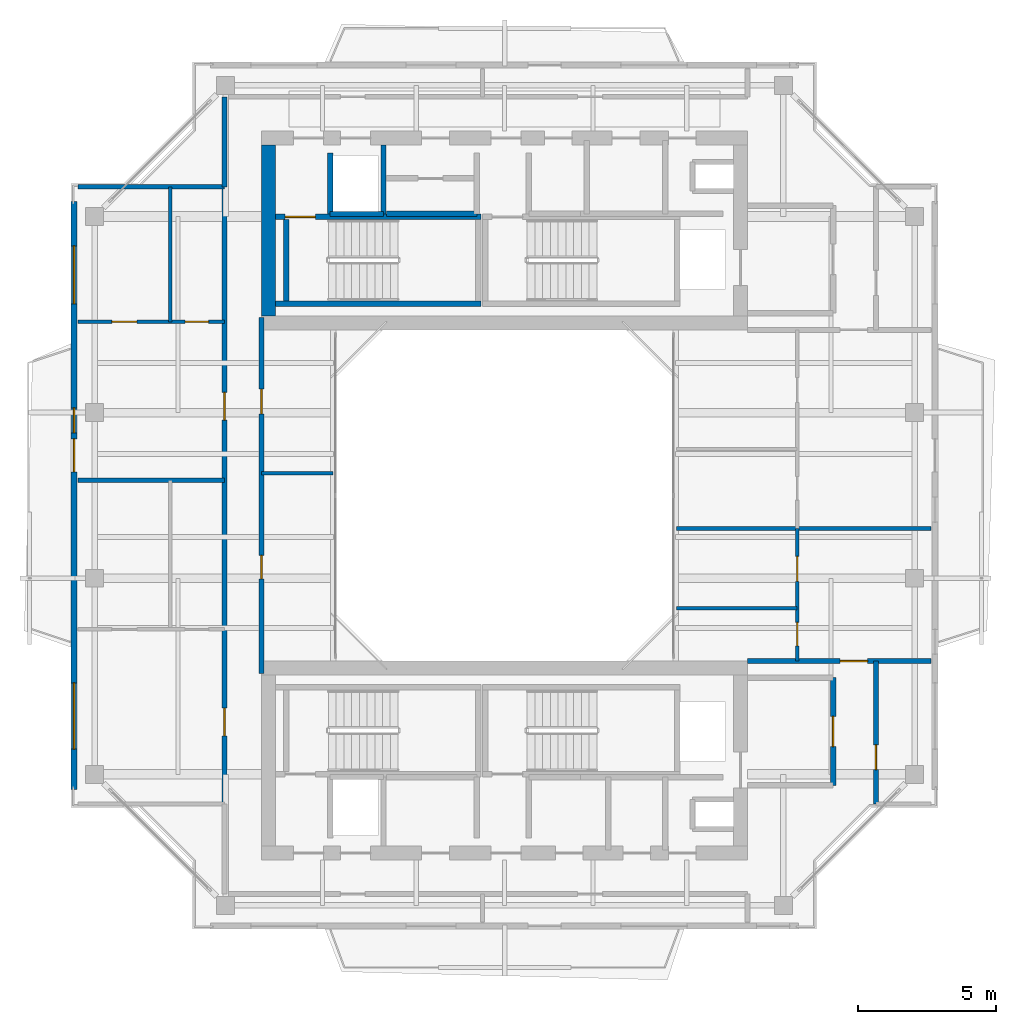
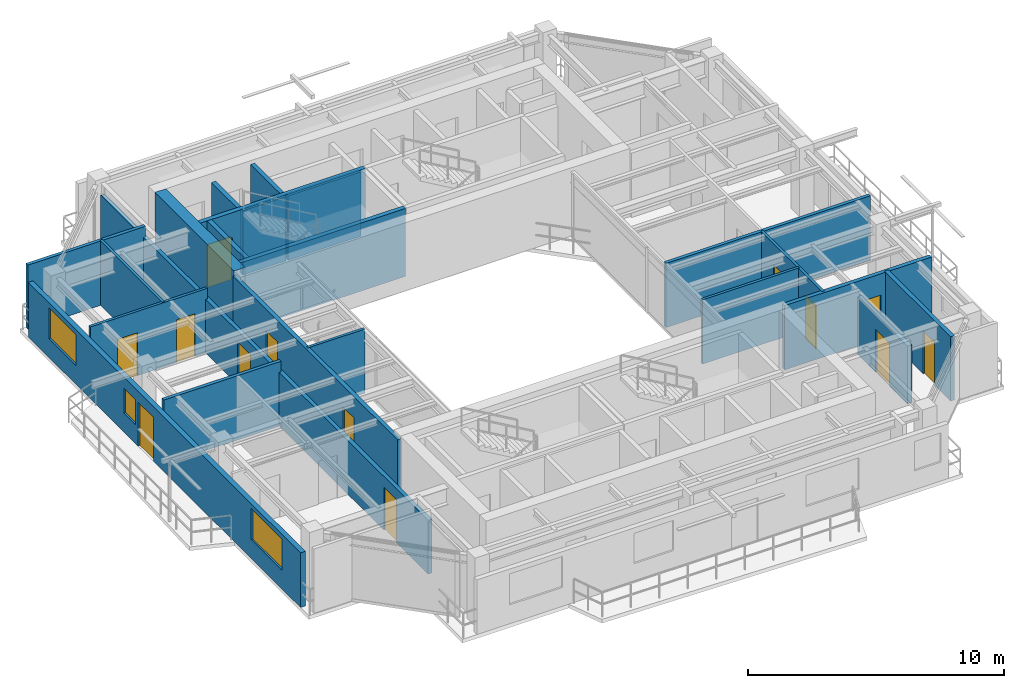
# One storey, part 10 of 15: 23 walls, 13 doors, 3 windows, 16 openings.
"""IFC4 building model written with IfcOpenShell, lengths in metres."""

from ifc_helpers import new_model, si_unit, direction, frame, frame_2d, origin, place, context, subcontext, project, spatial, rectangle, extrude, source, transform, mapped, material, layer, layer_set, type_object, element, fill, save


model = new_model("IFC4")

# Units and contexts
model_context = context("Model", 3, precision=1e-05, world=origin(), true_north=direction((0.0, 1.0)))
body_context = subcontext(model_context, "Body", "Model", "MODEL_VIEW")
ifc_project = project(units=[si_unit("LENGTHUNIT", "METRE"), si_unit("AREAUNIT", "SQUARE_METRE"), si_unit("VOLUMEUNIT", "CUBIC_METRE"), si_unit("PLANEANGLEUNIT", "RADIAN"), si_unit("MASSUNIT", "GRAM", prefix="KILO"), si_unit("THERMODYNAMICTEMPERATUREUNIT", "KELVIN"), si_unit("POWERUNIT", "WATT")], contexts=[model_context])

# Site, building, storey
site_placement = place(None, origin())
site = spatial("IfcSite", under=ifc_project, at=site_placement, CompositionType="ELEMENT")
building_placement = place(site_placement, origin())
building = spatial("IfcBuilding", under=site, at=building_placement, Name="Qiaomeng Ring Towers", CompositionType="ELEMENT")
storey_placement = place(building_placement, frame((0.0, 0.0, 250.25)))
storey = spatial("IfcBuildingStorey", under=building, at=storey_placement, Name="L73", CompositionType="ELEMENT", Elevation=250.25)

# Wall, openings, windows, door
ifc_material_1 = material(Name="Precast concrete C40", Category="concrete")
ifc_layer_1 = layer(ifc_material_1, 0.219970703125, Name="Precast concrete C40")
ifc_layer_set_1 = layer_set([ifc_layer_1], Name="Precast concrete C40")
wall_type_1 = type_object("IfcWallType", Name="ARC-WL-EW2", PredefinedType="STANDARD", material=ifc_layer_set_1)
wall_1_placement = place(storey_placement, frame((3.409912109375, 12.35009765625, 0.0), z_axis=(0.0, 0.0, 1.0), x_axis=(0.0, 1.0, 0.0)))
wall_1 = element("IfcWall", 1, at=wall_1_placement, inside=storey, type_object=wall_type_1, Name="L73 Tower 1 W Exterior Wall", PredefinedType="STANDARD", context=body_context, shape_type="SweptSolid", body=[
    extrude(rectangle(XDim=21.2998046875, YDim=0.219970703125, at=frame_2d((10.64990234375, 0.0))), origin(), (0.0, 0.0, 1.0), 2.610107421875),
])
opening_1_placement = place(wall_1_placement, frame((11.5, 0.0, 0.0)))
opening_1 = element("IfcOpeningElement", 2, at=opening_1_placement, cuts=wall_1, Name="Opening BD1", PredefinedType="OPENING", context=body_context, shape_type="SweptSolid", body=[
    extrude(rectangle(XDim=1.199951171875, YDim=2.10009765625, at=frame_2d((0.60009765625, 1.050048828125))), frame((0.0, 0.119873046875, 0.0), z_axis=(0.0, -1.0, 0.0), x_axis=(1.0, 0.0, 0.0)), (0.0, 0.0, 1.0), 0.239990234375),
])
opening_2_placement = place(wall_1_placement, frame((1.462890625, 0.0, 0.89990234375)))
opening_2 = element("IfcOpeningElement", 3, at=opening_2_placement, cuts=wall_1, Name="Opening WN6", PredefinedType="OPENING", context=body_context, shape_type="SweptSolid", body=[
    extrude(rectangle(XDim=2.39990234375, YDim=1.47998046875, at=frame_2d((1.199951171875, 0.739990234375))), frame((0.0, 0.119873046875, 0.0), z_axis=(0.0, -1.0, 0.0), x_axis=(1.0, 0.0, 0.0)), (0.0, 0.0, 1.0), 0.239990234375),
])
opening_3_placement = place(wall_1_placement, frame((17.587890625, 0.0, 0.89990234375)))
opening_3 = element("IfcOpeningElement", 4, at=opening_3_placement, cuts=wall_1, Name="Opening WN4", PredefinedType="OPENING", context=body_context, shape_type="SweptSolid", body=[
    extrude(rectangle(XDim=2.10009765625, YDim=1.47998046875, at=frame_2d((1.050048828125, 0.739990234375))), frame((0.0, 0.119873046875, 0.0), z_axis=(0.0, -1.0, 0.0), x_axis=(1.0, 0.0, 0.0)), (0.0, 0.0, 1.0), 0.239990234375),
])
opening_4_placement = place(wall_1_placement, frame((12.919921875, 0.0, 0.89990234375)))
opening_4 = element("IfcOpeningElement", 5, at=opening_4_placement, cuts=wall_1, Name="Opening WN5", PredefinedType="OPENING", context=body_context, shape_type="SweptSolid", body=[
    extrude(rectangle(XDim=0.89990234375, YDim=1.199951171875, at=frame_2d((0.449951171875, 0.60009765625))), frame((0.0, 0.119873046875, 0.0), z_axis=(0.0, -1.0, 0.0), x_axis=(1.0, 0.0, 0.0)), (0.0, 0.0, 1.0), 0.239990234375),
])
ifc_material_2 = material(Name="Low-E dark-grey laminated double glazing", Category="glass")
window_type_1 = type_object("IfcWindowType", Name="ARC-WN-4", PartitioningType="TRIPLE_PANEL_VERTICAL", PredefinedType="WINDOW", material=ifc_material_2)
shared_shape_1 = source(origin(), body_context, "Body", "SweptSolid", [
    extrude(rectangle(XDim=2.10009765625, YDim=1.47998046875, at=frame_2d((1.050048828125, 0.739990234375))), frame((0.0, 0.030029296875, 0.0), z_axis=(0.0, -1.0, 0.0), x_axis=(1.0, 0.0, 0.0)), (0.0, 0.0, 1.0), 0.06005859375),
])
window_1_placement = place(opening_3_placement, origin())
window_1 = element("IfcWindow", 6, at=window_1_placement, inside=storey, type_object=window_type_1, Name="L73 Exterior Window WN4", OverallHeight=1.47998046875, OverallWidth=2.10009765625, PartitioningType="TRIPLE_PANEL_VERTICAL", PredefinedType="WINDOW", context=body_context, shape_type="MappedRepresentation", body=[
    mapped(shared_shape_1, transform((0.0, 0.0, 0.0), x_axis=(1.0, 0.0, 0.0), y_axis=(0.0, 1.0, 0.0), z_axis=(0.0, 0.0, 1.0), scale=1.0)),
])
fill(opening_3, window_1)
window_type_2 = type_object("IfcWindowType", Name="ARC-WN-6", PartitioningType="TRIPLE_PANEL_VERTICAL", PredefinedType="WINDOW", material=ifc_material_2)
shared_shape_2 = source(origin(), body_context, "Body", "SweptSolid", [
    extrude(rectangle(XDim=2.39990234375, YDim=1.47998046875, at=frame_2d((1.199951171875, 0.739990234375))), frame((0.0, 0.030029296875, 0.0), z_axis=(0.0, -1.0, 0.0), x_axis=(1.0, 0.0, 0.0)), (0.0, 0.0, 1.0), 0.06005859375),
])
window_2_placement = place(opening_2_placement, origin())
window_2 = element("IfcWindow", 7, at=window_2_placement, inside=storey, type_object=window_type_2, Name="L73 Exterior Window WN6", OverallHeight=1.47998046875, OverallWidth=2.39990234375, PartitioningType="TRIPLE_PANEL_VERTICAL", PredefinedType="WINDOW", context=body_context, shape_type="MappedRepresentation", body=[
    mapped(shared_shape_2, transform((0.0, 0.0, 0.0), x_axis=(1.0, 0.0, 0.0), y_axis=(0.0, 1.0, 0.0), z_axis=(0.0, 0.0, 1.0), scale=1.0)),
])
fill(opening_2, window_2)
door_type_1 = type_object("IfcDoorType", Name="ARC-DR-BD1", OperationType="NOTDEFINED", PredefinedType="DOOR", material=ifc_material_2)
shared_shape_3 = source(origin(), body_context, "Body", "SweptSolid", [
    extrude(rectangle(XDim=1.199951171875, YDim=2.10009765625, at=frame_2d((0.60009765625, 1.050048828125))), frame((0.0, 0.02490234375, 0.0), z_axis=(0.0, -1.0, 0.0), x_axis=(1.0, 0.0, 0.0)), (0.0, 0.0, 1.0), 0.050048828125),
])
door_1_placement = place(opening_1_placement, frame((1.199951171875, 0.0, 0.0), z_axis=(0.0, 0.0, 1.0), x_axis=(-1.0, 0.0, 0.0)))
door_1 = element("IfcDoor", 8, at=door_1_placement, inside=storey, type_object=door_type_1, Name="L73 W Balcony Glazed Door", OperationType="SINGLE_SWING_LEFT", OverallHeight=2.10009765625, OverallWidth=1.199951171875, PredefinedType="DOOR", context=body_context, shape_type="MappedRepresentation", body=[
    mapped(shared_shape_3, transform((0.0, 0.0, 0.0), x_axis=(1.0, 0.0, 0.0), y_axis=(0.0, 1.0, 0.0), z_axis=(0.0, 0.0, 1.0), scale=1.0)),
])
fill(opening_1, door_1)
window_type_3 = type_object("IfcWindowType", Name="ARC-WN-5", PartitioningType="SINGLE_PANEL", PredefinedType="WINDOW", material=ifc_material_2)
shared_shape_4 = source(origin(), body_context, "Body", "SweptSolid", [
    extrude(rectangle(XDim=0.89990234375, YDim=1.199951171875, at=frame_2d((0.449951171875, 0.60009765625))), frame((0.0, 0.030029296875, 0.0), z_axis=(0.0, -1.0, 0.0), x_axis=(1.0, 0.0, 0.0)), (0.0, 0.0, 1.0), 0.06005859375),
])
window_3_placement = place(opening_4_placement, origin())
window_3 = element("IfcWindow", 9, at=window_3_placement, inside=storey, type_object=window_type_3, Name="L73 Exterior Window WN5", OverallHeight=1.199951171875, OverallWidth=0.89990234375, PartitioningType="SINGLE_PANEL", PredefinedType="WINDOW", context=body_context, shape_type="MappedRepresentation", body=[
    mapped(shared_shape_4, transform((0.0, 0.0, 0.0), x_axis=(1.0, 0.0, 0.0), y_axis=(0.0, 1.0, 0.0), z_axis=(0.0, 0.0, 1.0), scale=1.0)),
])
fill(opening_4, window_3)

# Wall, opening, door
ifc_material_3 = material(Name="Autoclaved aerated concrete block", Category="concrete")
ifc_layer_2 = layer(ifc_material_3, 0.199951171875, Name="Autoclaved aerated concrete block")
ifc_layer_set_2 = layer_set([ifc_layer_2], Name="Autoclaved aerated concrete block")
wall_type_2 = type_object("IfcWallType", Name="ARC-WL-PW1", PredefinedType="PARTITIONING", material=ifc_layer_set_2)
wall_2_placement = place(storey_placement, frame((30.89990234375, 12.5, 0.0), z_axis=(0.0, 0.0, 1.0), x_axis=(0.0, 1.0, 0.0)))
wall_2 = element("IfcWall", 10, at=wall_2_placement, inside=storey, type_object=wall_type_2, Name="L73 Interior Wall PW1", PredefinedType="PARTITIONING", context=body_context, shape_type="SweptSolid", body=[
    extrude(rectangle(XDim=3.89990234375, YDim=0.199951171875, at=frame_2d((1.949951171875, 0.0))), origin(), (0.0, 0.0, 1.0), 2.764892578125),
])
opening_5_placement = place(wall_2_placement, frame((1.39990234375, 0.0, 0.0)))
opening_5 = element("IfcOpeningElement", 11, at=opening_5_placement, cuts=wall_2, Name="Opening FD3", PredefinedType="OPENING", context=body_context, shape_type="SweptSolid", body=[
    extrude(rectangle(XDim=1.10009765625, YDim=2.050048828125, at=frame_2d((0.550048828125, 1.02490234375))), frame((0.0, 0.10986328125, 0.0), z_axis=(0.0, -1.0, 0.0), x_axis=(1.0, 0.0, 0.0)), (0.0, 0.0, 1.0), 0.219970703125),
])
ifc_material_4 = material(Name="Galvanised steel", Category="steel")
door_type_2 = type_object("IfcDoorType", Name="ARC-DR-FD3", OperationType="NOTDEFINED", PredefinedType="DOOR", material=ifc_material_4)
shared_shape_5 = source(origin(), body_context, "Body", "SweptSolid", [
    extrude(rectangle(XDim=1.10009765625, YDim=2.050048828125, at=frame_2d((0.550048828125, 1.02490234375))), frame((0.0, 0.02490234375, 0.0), z_axis=(0.0, -1.0, 0.0), x_axis=(1.0, 0.0, 0.0)), (0.0, 0.0, 1.0), 0.050048828125),
])
door_2_placement = place(opening_5_placement, origin())
door_2 = element("IfcDoor", 12, at=door_2_placement, inside=storey, type_object=door_type_2, Name="L73 South FF Lobby Door", OperationType="SINGLE_SWING_LEFT", OverallHeight=2.050048828125, OverallWidth=1.10009765625, PredefinedType="DOOR", context=body_context, shape_type="MappedRepresentation", body=[
    mapped(shared_shape_5, transform((0.0, 0.0, 0.0), x_axis=(1.0, 0.0, 0.0), y_axis=(0.0, 1.0, 0.0), z_axis=(0.0, 0.0, 1.0), scale=1.0)),
])
fill(opening_5, door_2)

# Walls
wall_3_placement = place(storey_placement, frame((12.679931640625, 33.18994140625, 0.0), z_axis=(0.0, 0.0, 1.0), x_axis=(0.0, 1.0, 0.0)))
element("IfcWall", 13, at=wall_3_placement, inside=storey, type_object=wall_type_2, Name="L73 Interior Wall PW1", PredefinedType="PARTITIONING", context=body_context, shape_type="SweptSolid", body=[
    extrude(rectangle(XDim=2.2099609375, YDim=0.199951171875, at=frame_2d((1.10498046875, 0.0))), origin(), (0.0, 0.0, 1.0), 3.070068359375),
])
wall_4_placement = place(storey_placement, frame((14.719970703125, 33.199951171875, 0.0), z_axis=(0.0, 0.0, 1.0), x_axis=(1.0, 0.0, 0.0)))
element("IfcWall", 14, at=wall_4_placement, inside=storey, type_object=wall_type_2, Name="L73 Interior Wall PW1", PredefinedType="PARTITIONING", context=body_context, shape_type="SweptSolid", body=[
    extrude(rectangle(XDim=3.280029296875, YDim=0.199951171875, at=frame_2d((1.64013671875, 0.0))), origin(), (0.0, 0.0, 1.0), 3.070068359375),
])
ifc_layer_3 = layer(ifc_material_3, 0.179931640625, Name="Autoclaved aerated concrete block")
ifc_layer_set_3 = layer_set([ifc_layer_3], Name="Autoclaved aerated concrete block")
wall_type_3 = type_object("IfcWallType", Name="ARC-WL-PW2", PredefinedType="PARTITIONING", material=ifc_layer_set_3)
wall_5_placement = place(storey_placement, frame((8.85009765625, 34.179931640625, 0.0), z_axis=(0.0, 0.0, 1.0), x_axis=(0.0, 1.0, 0.0)))
element("IfcWall", 15, at=wall_5_placement, inside=storey, type_object=wall_type_3, Name="L73 Interior Wall PW2", PredefinedType="PARTITIONING", context=body_context, shape_type="SweptSolid", body=[
    extrude(rectangle(XDim=3.260009765625, YDim=0.179931640625, at=frame_2d((1.6298828125, 0.0))), origin(), (0.0, 0.0, 1.0), 2.569091796875),
])

# Wall, openings, doors
wall_6_placement = place(storey_placement, frame((8.85009765625, 11.820068359375, 0.0), z_axis=(0.0, 0.0, 1.0), x_axis=(0.0, 1.0, 0.0)))
wall_6 = element("IfcWall", 16, at=wall_6_placement, inside=storey, type_object=wall_type_3, Name="L73 Interior Wall PW2", PredefinedType="PARTITIONING", context=body_context, shape_type="SweptSolid", body=[
    extrude(rectangle(XDim=22.35986328125, YDim=0.179931640625, at=frame_2d((11.179931640625, 0.0))), origin(), (0.0, 0.0, 1.0), 2.569091796875),
])
opening_6_placement = place(wall_6_placement, frame((2.47509765625, 0.0, 0.0)))
opening_6 = element("IfcOpeningElement", 17, at=opening_6_placement, cuts=wall_6, Name="Opening FD4", PredefinedType="OPENING", context=body_context, shape_type="SweptSolid", body=[
    extrude(rectangle(XDim=1.0, YDim=2.050048828125, at=frame_2d((0.5, 1.02490234375))), frame((0.0, 0.099853515625, 0.0), z_axis=(0.0, -1.0, 0.0), x_axis=(1.0, 0.0, 0.0)), (0.0, 0.0, 1.0), 0.199951171875),
])
opening_7_placement = place(wall_6_placement, frame((13.909912109375, 0.0, 0.0)))
opening_7 = element("IfcOpeningElement", 18, at=opening_7_placement, cuts=wall_6, Name="Opening FD4", PredefinedType="OPENING", context=body_context, shape_type="SweptSolid", body=[
    extrude(rectangle(XDim=1.0, YDim=2.050048828125, at=frame_2d((0.5, 1.02490234375))), frame((0.0, 0.099853515625, 0.0), z_axis=(0.0, -1.0, 0.0), x_axis=(1.0, 0.0, 0.0)), (0.0, 0.0, 1.0), 0.199951171875),
])
ifc_material_5 = material(Name="Engineered fire-rated oak timber", Category="wood")
door_type_3 = type_object("IfcDoorType", Name="ARC-DR-FD4", OperationType="NOTDEFINED", PredefinedType="DOOR", material=ifc_material_5)
shared_shape_6 = source(origin(), body_context, "Body", "SweptSolid", [
    extrude(rectangle(XDim=1.0, YDim=2.050048828125, at=frame_2d((0.5, 1.02490234375))), frame((0.0, 0.02490234375, 0.0), z_axis=(0.0, -1.0, 0.0), x_axis=(1.0, 0.0, 0.0)), (0.0, 0.0, 1.0), 0.050048828125),
])
door_3_placement = place(opening_6_placement, origin())
door_3 = element("IfcDoor", 19, at=door_3_placement, inside=storey, type_object=door_type_3, Name="L73 Door FD4", OperationType="SINGLE_SWING_LEFT", OverallHeight=2.050048828125, OverallWidth=1.0, PredefinedType="DOOR", context=body_context, shape_type="MappedRepresentation", body=[
    mapped(shared_shape_6, transform((0.0, 0.0, 0.0), x_axis=(1.0, 0.0, 0.0), y_axis=(0.0, 1.0, 0.0), z_axis=(0.0, 0.0, 1.0), scale=1.0)),
])
fill(opening_6, door_3)
door_4_placement = place(opening_7_placement, origin())
door_4 = element("IfcDoor", 20, at=door_4_placement, inside=storey, type_object=door_type_3, Name="L73 Door FD4", OperationType="SINGLE_SWING_RIGHT", OverallHeight=2.050048828125, OverallWidth=1.0, PredefinedType="DOOR", context=body_context, shape_type="MappedRepresentation", body=[
    mapped(shared_shape_6, transform((0.0, 0.0, 0.0), x_axis=(1.0, 0.0, 0.0), y_axis=(0.0, 1.0, 0.0), z_axis=(0.0, 0.0, 1.0), scale=1.0)),
])
fill(opening_7, door_4)

wall_7_placement = place(storey_placement, frame((10.199951171875, 16.550048828125, 0.0), z_axis=(0.0, 0.0, 1.0), x_axis=(0.0, 1.0, 0.0)))
wall_7 = element("IfcWall", 21, at=wall_7_placement, inside=storey, type_object=wall_type_3, Name="L73 Interior Wall PW2", PredefinedType="PARTITIONING", context=body_context, shape_type="SweptSolid", body=[
    extrude(rectangle(XDim=12.89990234375, YDim=0.179931640625, at=frame_2d((6.449951171875, 0.0))), origin(), (0.0, 0.0, 1.0), 3.070068359375),
])
opening_8_placement = place(wall_7_placement, frame((3.425048828125, 0.0, 0.0)))
opening_8 = element("IfcOpeningElement", 22, at=opening_8_placement, cuts=wall_7, Name="Opening ID2", PredefinedType="OPENING", context=body_context, shape_type="SweptSolid", body=[
    extrude(rectangle(XDim=0.85009765625, YDim=2.050048828125, at=frame_2d((0.425048828125, 1.02490234375))), frame((0.0, 0.099853515625, 0.0), z_axis=(0.0, -1.0, 0.0), x_axis=(1.0, 0.0, 0.0)), (0.0, 0.0, 1.0), 0.199951171875),
])
opening_9_placement = place(wall_7_placement, frame((9.39990234375, 0.0, 0.0)))
opening_9 = element("IfcOpeningElement", 23, at=opening_9_placement, cuts=wall_7, Name="Opening ID1", PredefinedType="OPENING", context=body_context, shape_type="SweptSolid", body=[
    extrude(rectangle(XDim=0.89990234375, YDim=2.050048828125, at=frame_2d((0.449951171875, 1.02490234375))), frame((0.0, 0.099853515625, 0.0), z_axis=(0.0, -1.0, 0.0), x_axis=(1.0, 0.0, 0.0)), (0.0, 0.0, 1.0), 0.199951171875),
])
ifc_material_6 = material(Name="Moisture-resistant engineered timber", Category="wood")
door_type_4 = type_object("IfcDoorType", Name="ARC-DR-ID2", OperationType="NOTDEFINED", PredefinedType="DOOR", material=ifc_material_6)
shared_shape_7 = source(origin(), body_context, "Body", "SweptSolid", [
    extrude(rectangle(XDim=0.85009765625, YDim=2.050048828125, at=frame_2d((0.425048828125, 1.02490234375))), frame((0.0, 0.02490234375, 0.0), z_axis=(0.0, -1.0, 0.0), x_axis=(1.0, 0.0, 0.0)), (0.0, 0.0, 1.0), 0.050048828125),
])
door_5_placement = place(opening_8_placement, origin())
door_5 = element("IfcDoor", 24, at=door_5_placement, inside=storey, type_object=door_type_4, Name="L73 Door ID2", OperationType="SINGLE_SWING_LEFT", OverallHeight=2.050048828125, OverallWidth=0.85009765625, PredefinedType="DOOR", context=body_context, shape_type="MappedRepresentation", body=[
    mapped(shared_shape_7, transform((0.0, 0.0, 0.0), x_axis=(1.0, 0.0, 0.0), y_axis=(0.0, 1.0, 0.0), z_axis=(0.0, 0.0, 1.0), scale=1.0)),
])
fill(opening_8, door_5)
ifc_material_7 = material(Name="Engineered oak timber", Category="wood")
door_type_5 = type_object("IfcDoorType", Name="ARC-DR-ID1", OperationType="NOTDEFINED", PredefinedType="DOOR", material=ifc_material_7)
shared_shape_8 = source(origin(), body_context, "Body", "SweptSolid", [
    extrude(rectangle(XDim=0.89990234375, YDim=2.050048828125, at=frame_2d((0.449951171875, 1.02490234375))), frame((0.0, 0.02490234375, 0.0), z_axis=(0.0, -1.0, 0.0), x_axis=(1.0, 0.0, 0.0)), (0.0, 0.0, 1.0), 0.050048828125),
])
door_6_placement = place(opening_9_placement, origin())
door_6 = element("IfcDoor", 25, at=door_6_placement, inside=storey, type_object=door_type_5, Name="L73 Door ID1", OperationType="SINGLE_SWING_RIGHT", OverallHeight=2.050048828125, OverallWidth=0.89990234375, PredefinedType="DOOR", context=body_context, shape_type="MappedRepresentation", body=[
    mapped(shared_shape_8, transform((0.0, 0.0, 0.0), x_axis=(1.0, 0.0, 0.0), y_axis=(0.0, 1.0, 0.0), z_axis=(0.0, 0.0, 1.0), scale=1.0)),
])
fill(opening_9, door_6)

# Wall, opening, door
wall_8_placement = place(storey_placement, frame((27.800048828125, 17.0, 0.0), z_axis=(0.0, 0.0, 1.0), x_axis=(1.0, 0.0, 0.0)))
wall_8 = element("IfcWall", 26, at=wall_8_placement, inside=storey, type_object=wall_type_3, Name="L73 Interior Wall PW2", PredefinedType="PARTITIONING", context=body_context, shape_type="SweptSolid", body=[
    extrude(rectangle(XDim=6.64990234375, YDim=0.179931640625, at=frame_2d((3.324951171875, 0.0))), origin(), (0.0, 0.0, 1.0), 3.070068359375),
])
opening_10_placement = place(wall_8_placement, frame((3.35009765625, 0.0, 0.0)))
opening_10 = element("IfcOpeningElement", 27, at=opening_10_placement, cuts=wall_8, Name="Opening FD4", PredefinedType="OPENING", context=body_context, shape_type="SweptSolid", body=[
    extrude(rectangle(XDim=1.0, YDim=2.050048828125, at=frame_2d((0.5, 1.02490234375))), frame((0.0, 0.099853515625, 0.0), z_axis=(0.0, -1.0, 0.0), x_axis=(1.0, 0.0, 0.0)), (0.0, 0.0, 1.0), 0.199951171875),
])
door_7_placement = place(opening_10_placement, origin())
door_7 = element("IfcDoor", 28, at=door_7_placement, inside=storey, type_object=door_type_3, Name="L73 Door FD4", OperationType="SINGLE_SWING_LEFT", OverallHeight=2.050048828125, OverallWidth=1.0, PredefinedType="DOOR", context=body_context, shape_type="MappedRepresentation", body=[
    mapped(shared_shape_6, transform((0.0, 0.0, 0.0), x_axis=(1.0, 0.0, 0.0), y_axis=(0.0, 1.0, 0.0), z_axis=(0.0, 0.0, 1.0), scale=1.0)),
])
fill(opening_10, door_7)

wall_9_placement = place(storey_placement, frame((32.449951171875, 11.820068359375, 0.0), z_axis=(0.0, 0.0, 1.0), x_axis=(0.0, 1.0, 0.0)))
wall_9 = element("IfcWall", 29, at=wall_9_placement, inside=storey, type_object=wall_type_3, Name="L73 Interior Wall PW2", PredefinedType="PARTITIONING", context=body_context, shape_type="SweptSolid", body=[
    extrude(rectangle(XDim=5.179931640625, YDim=0.179931640625, at=frame_2d((2.58984375, 0.0))), origin(), (0.0, 0.0, 1.0), 3.070068359375),
])
opening_11_placement = place(wall_9_placement, frame((1.25, 0.0, 0.0)))
opening_11 = element("IfcOpeningElement", 30, at=opening_11_placement, cuts=wall_9, Name="Opening ID1", PredefinedType="OPENING", context=body_context, shape_type="SweptSolid", body=[
    extrude(rectangle(XDim=0.89990234375, YDim=2.050048828125, at=frame_2d((0.449951171875, 1.02490234375))), frame((0.0, 0.099853515625, 0.0), z_axis=(0.0, -1.0, 0.0), x_axis=(1.0, 0.0, 0.0)), (0.0, 0.0, 1.0), 0.199951171875),
])
door_8_placement = place(opening_11_placement, origin())
door_8 = element("IfcDoor", 31, at=door_8_placement, inside=storey, type_object=door_type_5, Name="L73 Door ID1", OperationType="SINGLE_SWING_RIGHT", OverallHeight=2.050048828125, OverallWidth=0.89990234375, PredefinedType="DOOR", context=body_context, shape_type="MappedRepresentation", body=[
    mapped(shared_shape_8, transform((0.0, 0.0, 0.0), x_axis=(1.0, 0.0, 0.0), y_axis=(0.0, 1.0, 0.0), z_axis=(0.0, 0.0, 1.0), scale=1.0)),
])
fill(opening_11, door_8)

# Walls
ifc_material_8 = material(Name="Gypsum fireboard steel-stud partition", Category="steel")
ifc_layer_4 = layer(ifc_material_8, 0.14990234375, Name="Gypsum fireboard steel-stud partition")
ifc_layer_set_4 = layer_set([ifc_layer_4], Name="Gypsum fireboard steel-stud partition")
wall_type_4 = type_object("IfcWallType", Name="ARC-WL-PW3", PredefinedType="PARTITIONING", material=ifc_layer_set_4)
for number, where, z_axis, x_axis, name in (
    (32, (3.550048828125, 34.179931640625, 0.0), (0.0, 0.0, 1.0), (1.0, 0.0, 0.0), "L73 Interior Wall PW3"),
    (33, (3.550048828125, 23.550048828125, 0.0), (0.0, 0.0, 1.0), (1.0, 0.0, 0.0), "L73 Interior Wall PW3"),
):
    element("IfcWall", number, at=place(storey_placement, frame(where, z_axis=z_axis, x_axis=x_axis)), inside=storey, type_object=wall_type_4, Name=name, PredefinedType="PARTITIONING", context=body_context, shape_type="SweptSolid", body=[
        extrude(rectangle(XDim=5.300048828125, YDim=0.14990234375, at=frame_2d((2.64990234375, 0.0))), origin(), (0.0, 0.0, 1.0), 3.070068359375),
    ])
wall_10_placement = place(storey_placement, frame((25.219970703125, 21.800048828125, 0.0), z_axis=(0.0, 0.0, 1.0), x_axis=(1.0, 0.0, 0.0)))
element("IfcWall", 34, at=wall_10_placement, inside=storey, type_object=wall_type_4, Name="L73 Interior Wall PW3", PredefinedType="PARTITIONING", context=body_context, shape_type="SweptSolid", body=[
    extrude(rectangle(XDim=9.22998046875, YDim=0.14990234375, at=frame_2d((4.614990234375, 0.0))), origin(), (0.0, 0.0, 1.0), 3.070068359375),
])

# Wall, openings, doors
ifc_material_9 = material(Name="Moisture-resistant gypsum steel-stud partition", Category="steel")
ifc_layer_5 = layer(ifc_material_9, 0.1201171875, Name="Moisture-resistant gypsum steel-stud partition")
ifc_layer_set_5 = layer_set([ifc_layer_5], Name="Moisture-resistant gypsum steel-stud partition")
wall_type_5 = type_object("IfcWallType", Name="ARC-WL-PW4", PredefinedType="PLUMBINGWALL", material=ifc_layer_set_5)
wall_11_placement = place(storey_placement, frame((3.550048828125, 29.2900390625, 0.0), z_axis=(0.0, 0.0, 1.0), x_axis=(1.0, 0.0, 0.0)))
wall_11 = element("IfcWall", 35, at=wall_11_placement, inside=storey, type_object=wall_type_5, Name="L73 Interior Wall PW4", PredefinedType="PLUMBINGWALL", context=body_context, shape_type="SweptSolid", body=[
    extrude(rectangle(XDim=5.300048828125, YDim=0.1201171875, at=frame_2d((2.64990234375, 0.0))), origin(), (0.0, 0.0, 1.0), 3.070068359375),
])
opening_12_placement = place(wall_11_placement, frame((1.22998046875, 0.0, 0.0)))
opening_12 = element("IfcOpeningElement", 36, at=opening_12_placement, cuts=wall_11, Name="Opening ID1", PredefinedType="OPENING", context=body_context, shape_type="SweptSolid", body=[
    extrude(rectangle(XDim=0.89990234375, YDim=2.050048828125, at=frame_2d((0.449951171875, 1.02490234375))), frame((0.0, 0.070068359375, 0.0), z_axis=(0.0, -1.0, 0.0), x_axis=(1.0, 0.0, 0.0)), (0.0, 0.0, 1.0), 0.14013671875),
])
opening_13_placement = place(wall_11_placement, frame((3.885009765625, 0.0, 0.0)))
opening_13 = element("IfcOpeningElement", 37, at=opening_13_placement, cuts=wall_11, Name="Opening ID2", PredefinedType="OPENING", context=body_context, shape_type="SweptSolid", body=[
    extrude(rectangle(XDim=0.85009765625, YDim=2.050048828125, at=frame_2d((0.425048828125, 1.02490234375))), frame((0.0, 0.070068359375, 0.0), z_axis=(0.0, -1.0, 0.0), x_axis=(1.0, 0.0, 0.0)), (0.0, 0.0, 1.0), 0.14013671875),
])
door_9_placement = place(opening_13_placement, origin())
door_9 = element("IfcDoor", 38, at=door_9_placement, inside=storey, type_object=door_type_4, Name="L73 Door ID2", OperationType="SINGLE_SWING_LEFT", OverallHeight=2.050048828125, OverallWidth=0.85009765625, PredefinedType="DOOR", context=body_context, shape_type="MappedRepresentation", body=[
    mapped(shared_shape_7, transform((0.0, 0.0, 0.0), x_axis=(1.0, 0.0, 0.0), y_axis=(0.0, 1.0, 0.0), z_axis=(0.0, 0.0, 1.0), scale=1.0)),
])
fill(opening_13, door_9)
door_10_placement = place(opening_12_placement, origin())
door_10 = element("IfcDoor", 39, at=door_10_placement, inside=storey, type_object=door_type_5, Name="L73 Door ID1", OperationType="SINGLE_SWING_RIGHT", OverallHeight=2.050048828125, OverallWidth=0.89990234375, PredefinedType="DOOR", context=body_context, shape_type="MappedRepresentation", body=[
    mapped(shared_shape_8, transform((0.0, 0.0, 0.0), x_axis=(1.0, 0.0, 0.0), y_axis=(0.0, 1.0, 0.0), z_axis=(0.0, 0.0, 1.0), scale=1.0)),
])
fill(opening_12, door_10)

# Walls
wall_12_placement = place(storey_placement, frame((6.889892578125, 29.2900390625, 0.0), z_axis=(0.0, 0.0, 1.0), x_axis=(0.0, 1.0, 0.0)))
element("IfcWall", 40, at=wall_12_placement, inside=storey, type_object=wall_type_5, Name="L73 Interior Wall PW4", PredefinedType="PLUMBINGWALL", context=body_context, shape_type="SweptSolid", body=[
    extrude(rectangle(XDim=4.889892578125, YDim=0.1201171875, at=frame_2d((2.44482421875, 0.0))), origin(), (0.0, 0.0, 1.0), 3.070068359375),
])
wall_13_placement = place(storey_placement, frame((10.199951171875, 23.800048828125, 0.0), z_axis=(0.0, 0.0, 1.0), x_axis=(1.0, 0.0, 0.0)))
element("IfcWall", 41, at=wall_13_placement, inside=storey, type_object=wall_type_5, Name="L73 Interior Wall PW4", PredefinedType="PLUMBINGWALL", context=body_context, shape_type="SweptSolid", body=[
    extrude(rectangle(XDim=2.580078125, YDim=0.1201171875, at=frame_2d((1.2900390625, 0.0))), origin(), (0.0, 0.0, 1.0), 3.070068359375),
])

# Wall, openings, doors
wall_14_placement = place(storey_placement, frame((29.60009765625, 17.0, 0.0), z_axis=(0.0, 0.0, 1.0), x_axis=(0.0, 1.0, 0.0)))
wall_14 = element("IfcWall", 42, at=wall_14_placement, inside=storey, type_object=wall_type_5, Name="L73 Interior Wall PW4", PredefinedType="PLUMBINGWALL", context=body_context, shape_type="SweptSolid", body=[
    extrude(rectangle(XDim=4.800048828125, YDim=0.1201171875, at=frame_2d((2.39990234375, 0.0))), origin(), (0.0, 0.0, 1.0), 3.070068359375),
])
opening_14_placement = place(wall_14_placement, frame((0.554931640625, 0.0, 0.0)))
opening_14 = element("IfcOpeningElement", 43, at=opening_14_placement, cuts=wall_14, Name="Opening ID2", PredefinedType="OPENING", context=body_context, shape_type="SweptSolid", body=[
    extrude(rectangle(XDim=0.85009765625, YDim=2.050048828125, at=frame_2d((0.425048828125, 1.02490234375))), frame((0.0, 0.070068359375, 0.0), z_axis=(0.0, -1.0, 0.0), x_axis=(1.0, 0.0, 0.0)), (0.0, 0.0, 1.0), 0.14013671875),
])
opening_15_placement = place(wall_14_placement, frame((2.889892578125, 0.0, 0.0)))
opening_15 = element("IfcOpeningElement", 44, at=opening_15_placement, cuts=wall_14, Name="Opening ID1", PredefinedType="OPENING", context=body_context, shape_type="SweptSolid", body=[
    extrude(rectangle(XDim=0.89990234375, YDim=2.050048828125, at=frame_2d((0.449951171875, 1.02490234375))), frame((0.0, 0.070068359375, 0.0), z_axis=(0.0, -1.0, 0.0), x_axis=(1.0, 0.0, 0.0)), (0.0, 0.0, 1.0), 0.14013671875),
])
door_11_placement = place(opening_14_placement, origin())
door_11 = element("IfcDoor", 45, at=door_11_placement, inside=storey, type_object=door_type_4, Name="L73 Door ID2", OperationType="SINGLE_SWING_LEFT", OverallHeight=2.050048828125, OverallWidth=0.85009765625, PredefinedType="DOOR", context=body_context, shape_type="MappedRepresentation", body=[
    mapped(shared_shape_7, transform((0.0, 0.0, 0.0), x_axis=(1.0, 0.0, 0.0), y_axis=(0.0, 1.0, 0.0), z_axis=(0.0, 0.0, 1.0), scale=1.0)),
])
fill(opening_14, door_11)
door_12_placement = place(opening_15_placement, origin())
door_12 = element("IfcDoor", 46, at=door_12_placement, inside=storey, type_object=door_type_5, Name="L73 Door ID1", OperationType="SINGLE_SWING_RIGHT", OverallHeight=2.050048828125, OverallWidth=0.89990234375, PredefinedType="DOOR", context=body_context, shape_type="MappedRepresentation", body=[
    mapped(shared_shape_8, transform((0.0, 0.0, 0.0), x_axis=(1.0, 0.0, 0.0), y_axis=(0.0, 1.0, 0.0), z_axis=(0.0, 0.0, 1.0), scale=1.0)),
])
fill(opening_15, door_12)

# Walls
wall_15_placement = place(storey_placement, frame((25.219970703125, 18.919921875, 0.0), z_axis=(0.0, 0.0, 1.0), x_axis=(1.0, 0.0, 0.0)))
element("IfcWall", 47, at=wall_15_placement, inside=storey, type_object=wall_type_5, Name="L73 Interior Wall PW4", PredefinedType="PLUMBINGWALL", context=body_context, shape_type="SweptSolid", body=[
    extrude(rectangle(XDim=4.380126953125, YDim=0.1201171875, at=frame_2d((2.18994140625, 0.0))), origin(), (0.0, 0.0, 1.0), 3.070068359375),
])
ifc_material_10 = material(Name="Concrete C40", Category="concrete")
ifc_layer_6 = layer(ifc_material_10, 0.199951171875, Name="Concrete C40")
ifc_layer_set_6 = layer_set([ifc_layer_6], Name="Concrete C40")
wall_type_6 = type_object("IfcWallType", Name="STR-WL-STSHAFT", PredefinedType="SHEAR", material=ifc_layer_set_6)
wall_16_placement = place(storey_placement, frame((12.679931640625, 33.199951171875, 0.0), z_axis=(0.0, 0.0, 1.0), x_axis=(1.0, 0.0, 0.0)))
element("IfcWall", 48, at=wall_16_placement, inside=storey, type_object=wall_type_6, Name="L73 Lift LP5 Shaft Back Wall", PredefinedType="SHEAR", context=body_context, shape_type="SweptSolid", body=[
    extrude(rectangle(XDim=1.940185546875, YDim=0.179931640625, at=frame_2d((0.97021484375, 0.0))), origin(), (0.0, 0.0, 1.0), 3.070068359375),
])
wall_17_placement = place(storey_placement, frame((14.6201171875, 33.199951171875, 0.0), z_axis=(0.0, 0.0, 1.0), x_axis=(0.0, 1.0, 0.0)))
element("IfcWall", 49, at=wall_17_placement, inside=storey, type_object=wall_type_6, Name="L73 Lift LP5-LP3 Shaft Divider Wall", PredefinedType="SHEAR", context=body_context, shape_type="SweptSolid", body=[
    extrude(rectangle(XDim=2.5, YDim=0.179931640625, at=frame_2d((1.25, 0.0))), origin(), (0.0, 0.0, 1.0), 3.070068359375),
])
wall_18_placement = place(storey_placement, frame((10.699951171875, 29.949951171875, 0.0), z_axis=(0.0, 0.0, 1.0), x_axis=(1.0, 0.0, 0.0)))
element("IfcWall", 50, at=wall_18_placement, inside=storey, type_object=wall_type_6, Name="L73 Stair ST1 South Shaft Shear Wall", PredefinedType="SHEAR", context=body_context, shape_type="SweptSolid", body=[
    extrude(rectangle(XDim=7.449951171875, YDim=0.199951171875, at=frame_2d((3.72509765625, 0.0))), origin(), (0.0, 0.0, 1.0), 3.25),
])

# Wall, opening, door
wall_19_placement = place(storey_placement, frame((10.699951171875, 33.090087890625, 0.0), z_axis=(0.0, 0.0, 1.0), x_axis=(1.0, 0.0, 0.0)))
wall_19 = element("IfcWall", 51, at=wall_19_placement, inside=storey, type_object=wall_type_6, Name="L73 Stair ST1 North Shaft Shear Wall", PredefinedType="SHEAR", context=body_context, shape_type="SweptSolid", body=[
    extrude(rectangle(XDim=7.449951171875, YDim=0.199951171875, at=frame_2d((3.72509765625, 0.0))), origin(), (0.0, 0.0, 1.0), 3.25),
])
opening_16_placement = place(wall_19_placement, frame((0.35009765625, 0.0, 0.0)))
opening_16 = element("IfcOpeningElement", 52, at=opening_16_placement, cuts=wall_19, Name="Opening FD3", PredefinedType="OPENING", context=body_context, shape_type="SweptSolid", body=[
    extrude(rectangle(XDim=1.10009765625, YDim=2.050048828125, at=frame_2d((0.550048828125, 1.02490234375))), frame((0.0, 0.10986328125, 0.0), z_axis=(0.0, -1.0, 0.0), x_axis=(1.0, 0.0, 0.0)), (0.0, 0.0, 1.0), 0.219970703125),
])
door_13_placement = place(opening_16_placement, origin())
door_13 = element("IfcDoor", 53, at=door_13_placement, inside=storey, type_object=door_type_2, Name="L73 Stair ST1 Exit Door", OperationType="SINGLE_SWING_LEFT", OverallHeight=2.050048828125, OverallWidth=1.10009765625, PredefinedType="DOOR", context=body_context, shape_type="MappedRepresentation", body=[
    mapped(shared_shape_5, transform((0.0, 0.0, 0.0), x_axis=(1.0, 0.0, 0.0), y_axis=(0.0, 1.0, 0.0), z_axis=(0.0, 0.0, 1.0), scale=1.0)),
])
fill(opening_16, door_13)

# Walls
wall_20_placement = place(storey_placement, frame((11.10009765625, 30.050048828125, 0.0), z_axis=(0.0, 0.0, 1.0), x_axis=(0.0, 1.0, 0.0)))
element("IfcWall", 54, at=wall_20_placement, inside=storey, type_object=wall_type_6, Name="L73 Stair ST1 West Shaft Shear Wall", PredefinedType="SHEAR", context=body_context, shape_type="SweptSolid", body=[
    extrude(rectangle(XDim=2.93994140625, YDim=0.199951171875, at=frame_2d((1.469970703125, 0.0))), origin(), (0.0, 0.0, 1.0), 3.25),
])
ifc_layer_7 = layer(ifc_material_10, 0.5, Name="Concrete C40")
ifc_layer_set_7 = layer_set([ifc_layer_7], Name="Concrete C40")
wall_type_7 = type_object("IfcWallType", Name="STR-WL-SW3", PredefinedType="SHEAR", material=ifc_layer_set_7)
wall_21_placement = place(storey_placement, frame((10.449951171875, 29.5, 0.0), z_axis=(0.0, 0.0, 1.0), x_axis=(0.0, 1.0, 0.0)))
element("IfcWall", 55, at=wall_21_placement, inside=storey, type_object=wall_type_7, Name="L73 T1NC west core shear wall", PredefinedType="SHEAR", context=body_context, shape_type="SweptSolid", body=[
    extrude(rectangle(XDim=6.199951171875, YDim=0.5, at=frame_2d((3.10009765625, 0.0))), origin(), (0.0, 0.0, 1.0), 3.25),
])

save(model, "model.ifc")
